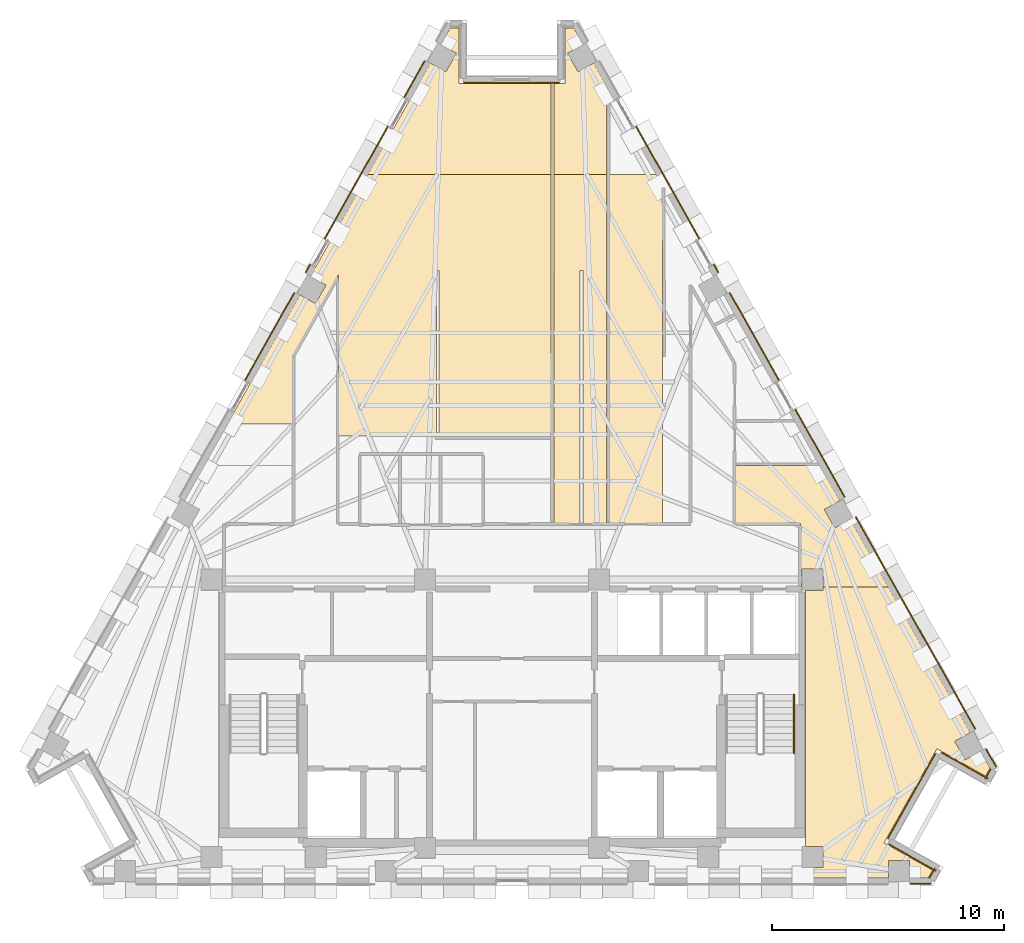
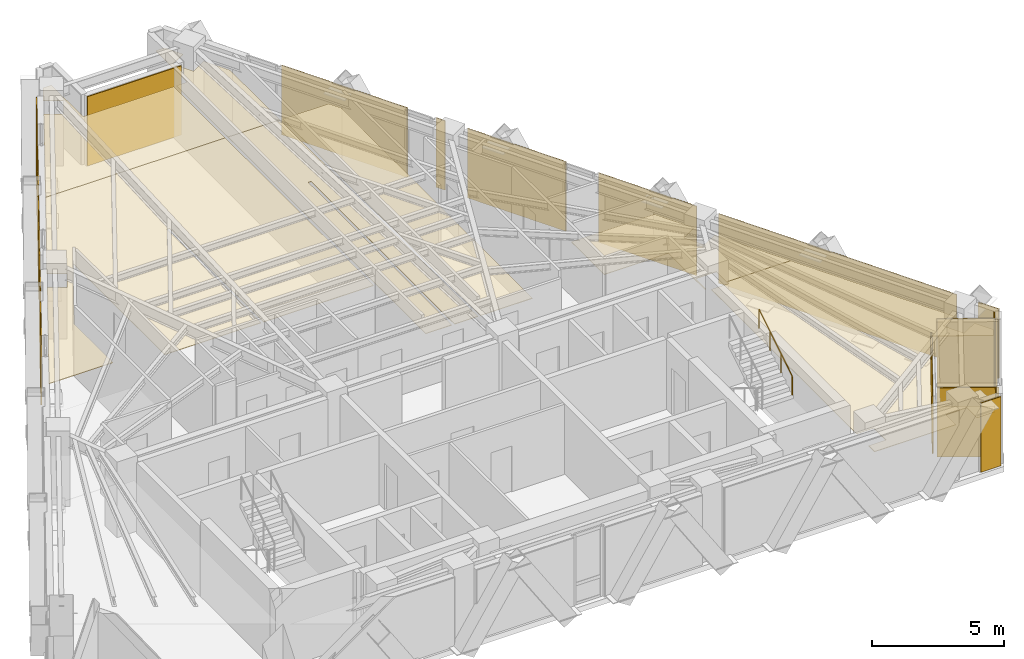
# One storey, part 12 of 13: 24 coverings, 1 railing.
"""IFC4 building model written with IfcOpenShell, lengths in metres."""

import ifcopenshell
import ifcopenshell.guid

model = None  # the IFC model being written
_history = None  # IfcOwnerHistory: only IFC2X3 demands one
_inside = {}  # id of a spatial element -> (the spatial element, [elements in it])
_under = {}  # id of a project, library or spatial element -> (it, [spatial elements below it])
_declared = {}  # id of a project -> (the project, [libraries it declares])
_typed = {}  # id of a type object -> (the type object, [elements of that type])
_made_of = {}  # id of a material, layer set ... -> (it, [elements and type objects made of it])


def new_model(schema):
    """Start an empty IFC model of exactly this schema.

    Asked for "IFC4X3", IfcOpenShell would pick the latest addendum, in which some entities
    have other attributes; the version numbers below select the first issue.
    IFC2X3 requires an IfcOwnerHistory on every rooted entity: one is made here for all.
    """
    global model, _history
    if schema == "IFC4X3":
        model = ifcopenshell.file(schema_version=(4, 3, 0, 0))
    else:
        model = ifcopenshell.file(schema=schema)
    _inside.clear()
    _under.clear()
    _declared.clear()
    _typed.clear()
    _made_of.clear()
    _history = None
    if model.schema == "IFC2X3":
        org = make("IfcOrganization", Name="unknown")
        user = make(
            "IfcPersonAndOrganization",
            ThePerson=make("IfcPerson", FamilyName="unknown"),
            TheOrganization=org,
        )
        app = make(
            "IfcApplication",
            ApplicationDeveloper=org,
            Version="unknown",
            ApplicationFullName="unknown",
            ApplicationIdentifier="unknown",
        )
        _history = make(
            "IfcOwnerHistory",
            OwningUser=user,
            OwningApplication=app,
            ChangeAction="ADDED",
            CreationDate=0,
        )
    return model


def make(cls, **values):
    """One entity of the class cls with the attributes given. An attribute that is None is left unset."""
    return model.create_entity(
        cls, **{name: value for name, value in values.items() if value is not None}
    )


def rooted(cls, **values):
    """An entity with a GlobalId (a new one), such as an element, a storey or a relation."""
    return make(cls, GlobalId=ifcopenshell.guid.new(), OwnerHistory=_history, **values)


def si_unit(unit_type, name, prefix=None):
    """IfcSIUnit, for example si_unit("LENGTHUNIT", "METRE", prefix="MILLI")."""
    return make("IfcSIUnit", UnitType=unit_type, Prefix=prefix, Name=name)


def assignment(units):
    """IfcUnitAssignment: the units of a project."""
    return None if units is None else make("IfcUnitAssignment", Units=units)


def point(xyz):
    """IfcCartesianPoint."""
    return None if xyz is None else make("IfcCartesianPoint", Coordinates=xyz)


def direction(xyz):
    """IfcDirection."""
    return None if xyz is None else make("IfcDirection", DirectionRatios=xyz)


def frame(location, z_axis=None, x_axis=None):
    """IfcAxis2Placement3D, a coordinate frame: its origin and axes. An axis left out is left unset."""
    return make(
        "IfcAxis2Placement3D",
        Location=point(location),
        Axis=direction(z_axis),
        RefDirection=direction(x_axis),
    )


def frame_2d(location, x_axis=None):
    """IfcAxis2Placement2D, a coordinate frame in the plane: its origin and x axis."""
    return make(
        "IfcAxis2Placement2D", Location=point(location), RefDirection=direction(x_axis)
    )


def origin():
    """The frame at (0, 0, 0) with its axes left unset."""
    return frame((0.0, 0.0, 0.0))


def origin_2d():
    """The frame at (0, 0) in the plane with its x axis left unset."""
    return frame_2d((0.0, 0.0))


def place(relative_to, where):
    """IfcLocalPlacement: puts the frame where relative to a parent placement (None: the world)."""
    return make(
        "IfcLocalPlacement", PlacementRelTo=relative_to, RelativePlacement=where
    )


def context(
    kind, dimensions, precision=None, world=None, true_north=None, identifier=None
):
    """IfcGeometricRepresentationContext, for example the 3D "Model" context."""
    return make(
        "IfcGeometricRepresentationContext",
        ContextIdentifier=identifier,
        ContextType=kind,
        CoordinateSpaceDimension=dimensions,
        Precision=precision,
        WorldCoordinateSystem=world,
        TrueNorth=true_north,
    )


def subcontext(parent, identifier, kind, view, scale=None):
    """IfcGeometricRepresentationSubContext, for example "Body" below "Model"."""
    return make(
        "IfcGeometricRepresentationSubContext",
        ContextIdentifier=identifier,
        ContextType=kind,
        ParentContext=parent,
        TargetScale=scale,
        TargetView=view,
    )


def project(units=None, contexts=None):
    """IfcProject with its units and contexts."""
    return rooted(
        "IfcProject",
        Name="project",
        RepresentationContexts=contexts,
        UnitsInContext=assignment(units),
    )


def spatial(cls, under=None, at=None, **own):
    """A site, building, storey or space (cls), placed at a placement, below another one or the project."""
    s = rooted(cls, ObjectPlacement=at, **own)
    if under is not None:
        _under.setdefault(under.id(), (under, []))[1].append(s)
    return s


def polyline(points):
    """IfcPolyline through the points."""
    return make("IfcPolyline", Points=[point(p) for p in points])


def profile(cls, at=None, kind="AREA", **sizes):
    """A parametric profile (cls). Its sizes go by their IFC names, for example OverallWidth=200.0."""
    return make(cls, ProfileType=kind, Position=at, **sizes)


def circle(**sizes):
    """IfcCircleProfileDef."""
    return profile("IfcCircleProfileDef", **sizes)


def outline(outer, holes=None, kind="AREA"):
    """IfcArbitraryClosedProfileDef: a profile drawn as a closed curve; with holes, ...WithVoids."""
    if holes is None:
        return make("IfcArbitraryClosedProfileDef", ProfileType=kind, OuterCurve=outer)
    return make(
        "IfcArbitraryProfileDefWithVoids",
        ProfileType=kind,
        OuterCurve=outer,
        InnerCurves=holes,
    )


def extrude(swept, where, along, depth):
    """IfcExtrudedAreaSolid: the profile swept, set in the frame where, extruded along a direction by depth."""
    return make(
        "IfcExtrudedAreaSolid",
        SweptArea=swept,
        Position=where,
        ExtrudedDirection=direction(along),
        Depth=depth,
    )


def shape(context_of_items, identifier, shape_type, items):
    """IfcShapeRepresentation: the items that make up one representation, for example the "Body"."""
    return make(
        "IfcShapeRepresentation",
        ContextOfItems=context_of_items,
        RepresentationIdentifier=identifier,
        RepresentationType=shape_type,
        Items=items,
    )


def material(Name=None, Category=None):
    """IfcMaterial."""
    return make("IfcMaterial", Name=Name, Category=Category)


def layer(
    of_material, thickness, ventilated=None, Name=None, Category=None, Priority=None
):
    """IfcMaterialLayer: one layer of a wall or slab, of a material (None: an air gap)."""
    return make(
        "IfcMaterialLayer",
        Material=of_material,
        LayerThickness=thickness,
        IsVentilated=ventilated,
        Name=Name,
        Category=Category,
        Priority=Priority,
    )


def layer_set(layers, Name=None):
    """IfcMaterialLayerSet."""
    return make("IfcMaterialLayerSet", MaterialLayers=layers, LayerSetName=Name)


def made_of(thing, what):
    """Note that an element or type object is made of a material, layer set ...; save() writes the relation."""
    if what is not None:
        _made_of.setdefault(what.id(), (what, []))[1].append(thing)
    return thing


def type_object(cls, material=None, **own):
    """A type object (cls), such as IfcWallType, which elements share."""
    return made_of(rooted(cls, **own), material)


def element(
    cls,
    number,
    at=None,
    inside=None,
    cuts=None,
    type_object=None,
    material=None,
    context=None,
    identifier="Body",
    shape_type=None,
    held_by="IfcProductDefinitionShape",
    body=None,
    shapes=None,
    **own,
):
    """One element of the class cls, such as IfcWall. Its Tag is "e" and its number.

    at: its placement. inside: the storey or other place that contains it. cuts: it is an
    opening in that element (IfcRelVoidsElement). A single representation is given by context,
    identifier, shape_type and body (its items); several are given by shapes. held_by: the class
    of the entity that holds the representations. save() writes the other relations.
    """
    e = rooted(cls, Tag="e%d" % number, ObjectPlacement=at, **own)
    if body is not None:
        shapes = [shape(context, identifier, shape_type, body)]
    if shapes is not None:
        e.Representation = make(held_by, Representations=shapes)
    if inside is not None:
        _inside.setdefault(inside.id(), (inside, []))[1].append(e)
    if cuts is not None:
        rooted(
            "IfcRelVoidsElement", RelatingBuildingElement=cuts, RelatedOpeningElement=e
        )
    if type_object is not None:
        _typed.setdefault(type_object.id(), (type_object, []))[1].append(e)
    return made_of(e, material)


def aggregate(whole, parts):
    """IfcRelAggregates: a whole, such as a stair, and the parts it consists of."""
    return rooted("IfcRelAggregates", RelatingObject=whole, RelatedObjects=parts)


def save(model, path):
    """Write the relations noted so far, then the file.

    IfcRelAggregates (storeys below a building ...), IfcRelContainedInSpatialStructure (elements
    in a storey), IfcRelDefinesByType, IfcRelAssociatesMaterial and IfcRelDeclares: one each for
    every whole, place, type object, material and project.
    """
    for whole, parts in _under.values():
        aggregate(whole, parts)
    for where, things in _inside.values():
        rooted(
            "IfcRelContainedInSpatialStructure",
            RelatedElements=things,
            RelatingStructure=where,
        )
    for kind, things in _typed.values():
        rooted("IfcRelDefinesByType", RelatedObjects=things, RelatingType=kind)
    for what, things in _made_of.values():
        rooted("IfcRelAssociatesMaterial", RelatedObjects=things, RelatingMaterial=what)
    for by, libraries in _declared.values():
        rooted("IfcRelDeclares", RelatingContext=by, RelatedDefinitions=libraries)
    model.write(path)


model = new_model("IFC4")

# Units and contexts
model_context = context("Model", 3, precision=1e-05, world=origin(), true_north=direction((0.0, 1.0)))
body_context = subcontext(model_context, "Body", "Model", "MODEL_VIEW")
ifc_project = project(units=[si_unit("LENGTHUNIT", "METRE"), si_unit("AREAUNIT", "SQUARE_METRE"), si_unit("VOLUMEUNIT", "CUBIC_METRE"), si_unit("PLANEANGLEUNIT", "RADIAN"), si_unit("MASSUNIT", "GRAM", prefix="KILO")], contexts=[model_context])

# Site, building, storey
site_placement = place(None, origin())
site = spatial("IfcSite", under=ifc_project, at=site_placement, CompositionType="ELEMENT")
building_placement = place(site_placement, origin())
building = spatial("IfcBuilding", under=site, at=building_placement, Name="Quenlor Broadcast Tower", CompositionType="ELEMENT")
storey_placement = place(building_placement, frame((0.0, 0.0, 207.89990234375)))
storey = spatial("IfcBuildingStorey", under=building, at=storey_placement, Name="L57", CompositionType="ELEMENT", Elevation=207.89990234375)

# Coverings
ifc_material_1 = material(Name="Acoustic Mineral Fibre Board", Category="other")
ifc_layer_1 = layer(ifc_material_1, 0.02490234375)
ifc_layer_set_1 = layer_set([ifc_layer_1], Name="Acoustic Perforated Mineral Tile Ceiling 25")
covering_type_1 = type_object("IfcCoveringType", Name="Acoustic Perforated Mineral Tile Ceiling 25", PredefinedType="CEILING", material=ifc_layer_set_1)
covering_1_placement = place(storey_placement, frame((0.0, 0.0, 2.375)))
element("IfcCovering", 1, at=covering_1_placement, inside=storey, type_object=covering_type_1, Name="L57 Acoustic Ceiling L57-24", PredefinedType="CEILING", context=body_context, shape_type="SweptSolid", body=[
    extrude(outline(polyline([(1.679931640625, 1.380126953125), (-3.139892578125, 1.380126953125), (-3.139892578125, 8.522705078125), (-3.260009765625, 8.522705078125), (-3.260009765625, 1.380126953125), (-7.47998046875, 1.380126953125), (-7.47998046875, 8.328125), (-9.43994140625, 4.84375), (-9.43994140625, 1.909912109375), (-12.260498046875, 1.909912109375), (-9.13427734375, 7.4677734375), (-8.465087890625, 7.09130859375), (-8.015869140625, 7.889404296875), (-8.685302734375, 8.26611328125), (-6.21923828125, 12.64990234375), (1.679931640625, 12.64990234375), (1.679931640625, 1.380126953125)])), origin(), (0.0, 0.0, 1.0), 0.025146484375),
])
covering_2_placement = place(storey_placement, frame((0.0, 0.0, 2.375)))
element("IfcCovering", 2, at=covering_2_placement, inside=storey, type_object=covering_type_1, Name="L57 Acoustic Ceiling L57-24-2", PredefinedType="CEILING", context=body_context, shape_type="SweptSolid", body=[
    extrude(outline(polyline([(-2.396728515625, 17.87890625), (-3.066162109375, 18.255615234375), (-2.6630859375, 18.971923828125), (-2.2861328125, 18.971923828125), (-2.2861328125, 16.572021484375), (1.679931640625, 16.572021484375), (1.679931640625, 12.64990234375), (-6.21923828125, 12.64990234375), (-3.515380859375, 17.45703125), (-2.845947265625, 17.08056640625), (-2.396728515625, 17.87890625)])), origin(), (0.0, 0.0, 1.0), 0.025146484375),
])
covering_3_placement = place(storey_placement, frame((0.0, 0.0, 2.375)))
element("IfcCovering", 3, at=covering_3_placement, inside=storey, type_object=covering_type_1, Name="L57 Acoustic Ceiling L57-26", PredefinedType="CEILING", context=body_context, shape_type="SweptSolid", body=[
    extrude(outline(polyline([(4.080078125, -2.3701171875), (3.06005859375, -2.3701171875), (3.06005859375, 8.522705078125), (2.93994140625, 8.522705078125), (2.93994140625, -2.3701171875), (1.800048828125, -2.3701171875), (1.800048828125, 12.64990234375), (4.080078125, 12.64990234375), (4.080078125, -2.3701171875)])), origin(), (0.0, 0.0, 1.0), 0.025146484375),
])
covering_4_placement = place(storey_placement, frame((0.0, 0.0, 2.375)))
element("IfcCovering", 4, at=covering_4_placement, inside=storey, type_object=covering_type_1, Name="L57 Acoustic Ceiling L57-26-2", PredefinedType="CEILING", context=body_context, shape_type="SweptSolid", body=[
    extrude(outline(polyline([(2.396728515625, 17.87890625), (2.845947265625, 17.08056640625), (3.515380859375, 17.45703125), (4.080078125, 16.453125), (4.080078125, 12.64990234375), (1.800048828125, 12.64990234375), (1.800048828125, 16.572021484375), (2.2861328125, 16.572021484375), (2.2861328125, 18.971923828125), (2.6630859375, 18.971923828125), (3.066162109375, 18.255615234375), (2.396728515625, 17.87890625)])), origin(), (0.0, 0.0, 1.0), 0.025146484375),
])
covering_5_placement = place(storey_placement, frame((0.0, 0.0, 2.375)))
element("IfcCovering", 5, at=covering_5_placement, inside=storey, type_object=covering_type_1, Name="L57 Acoustic Ceiling L57-27", PredefinedType="CEILING", context=body_context, shape_type="SweptSolid", body=[
    extrude(outline(polyline([(4.199951171875, 12.64990234375), (6.21923828125, 12.64990234375), (6.47998046875, 12.1865234375), (6.47998046875, -2.3701171875), (4.199951171875, -2.3701171875), (4.199951171875, 12.64990234375)])), origin(), (0.0, 0.0, 1.0), 0.025146484375),
])
covering_6_placement = place(storey_placement, frame((0.0, 0.0, 2.375)))
element("IfcCovering", 6, at=covering_6_placement, inside=storey, type_object=covering_type_1, Name="L57 Acoustic Ceiling L57-31-2", PredefinedType="CEILING", context=body_context, shape_type="SweptSolid", body=[
    extrude(outline(polyline([(13.407958984375, -4.342041015625), (12.491943359375, -4.342041015625), (12.491943359375, -5.1201171875), (12.43994140625, -5.1201171875), (12.43994140625, -2.3701171875), (9.6201171875, -2.3701171875), (9.6201171875, 0.128662109375), (13.262451171875, 0.128662109375), (14.123046875, -1.401123046875), (13.45361328125, -1.777587890625), (13.90283203125, -2.575927734375), (14.572021484375, -2.199462890625), (16.21484375, -5.1201171875), (13.407958984375, -5.1201171875), (13.407958984375, -4.342041015625)])), origin(), (0.0, 0.0, 1.0), 0.025146484375),
])
covering_7_placement = place(storey_placement, frame((0.0, 0.0, 2.375)))
element("IfcCovering", 7, at=covering_7_placement, inside=storey, type_object=covering_type_1, Name="L57 Acoustic Ceiling L57-31-4", PredefinedType="CEILING", context=body_context, shape_type="SweptSolid", body=[
    extrude(outline(polyline([(13.407958984375, -17.2080078125), (13.407958984375, -16.2919921875), (12.64990234375, -16.2919921875), (12.64990234375, -5.258056640625), (13.407958984375, -5.258056640625), (13.407958984375, -5.1201171875), (16.21484375, -5.1201171875), (19.7421875, -11.390625), (19.07275390625, -11.76708984375), (19.52197265625, -12.5654296875), (20.191162109375, -12.18896484375), (20.597900390625, -12.912109375), (20.400390625, -13.26318359375), (18.30859375, -12.08642578125), (16.029052734375, -16.138916015625), (18.120849609375, -17.315673828125), (17.927001953125, -17.659912109375), (17.1337890625, -17.659912109375), (17.1337890625, -16.89208984375), (16.218017578125, -16.89208984375), (16.218017578125, -17.659912109375), (12.64990234375, -17.659912109375), (12.64990234375, -17.2080078125), (13.407958984375, -17.2080078125)])), origin(), (0.0, 0.0, 1.0), 0.025146484375),
])
ifc_material_2 = material(Name="Architectural Terracotta Ceramic", Category="masonry")
ifc_layer_2 = layer(ifc_material_2, 0.044921875)
ifc_layer_set_2 = layer_set([ifc_layer_2], Name="Fluted Terracotta Rainscreen Cladding Panel")
covering_type_2 = type_object("IfcCoveringType", Name="Fluted Terracotta Rainscreen Cladding Panel", PredefinedType="CLADDING", material=ifc_layer_set_2)
covering_8_placement = place(storey_placement, frame((0.0, 0.0, 0.02001953125)))
element("IfcCovering", 8, at=covering_8_placement, inside=storey, type_object=covering_type_2, Name="L57 Terracotta Rainscreen Cladding L57-SHD-SS0", PredefinedType="CLADDING", context=body_context, shape_type="SweptSolid", body=[
    extrude(outline(polyline([(18.035888671875, -17.886962890625), (17.160888671875, -17.886962890625), (17.160888671875, -17.931884765625), (18.035888671875, -17.931884765625), (18.035888671875, -17.886962890625)])), origin(), (0.0, 0.0, 1.0), 3.2099609375),
])
covering_9_placement = place(storey_placement, frame((0.0, 0.0, 0.02001953125)))
element("IfcCovering", 9, at=covering_9_placement, inside=storey, type_object=covering_type_2, Name="L57 Terracotta Rainscreen Cladding L57-SHD-NES1", PredefinedType="CLADDING", context=body_context, shape_type="SweptSolid", body=[
    extrude(outline(polyline([(20.402099609375, -12.10107421875), (20.845458984375, -12.888916015625), (20.884521484375, -12.866943359375), (20.44140625, -12.0791015625), (20.402099609375, -12.10107421875)])), origin(), (0.0, 0.0, 1.0), 3.2099609375),
])
covering_10_placement = place(storey_placement, frame((0.0, 0.0, 0.02001953125)))
element("IfcCovering", 10, at=covering_10_placement, inside=storey, type_object=covering_type_2, Name="L57 Terracotta Rainscreen Cladding L57-NEA-SP2", PredefinedType="CLADDING", context=body_context, shape_type="SweptSolid", body=[
    extrude(outline(polyline([(5.3291015625, 14.716064453125), (8.05419921875, 9.871337890625), (8.09326171875, 9.893310546875), (5.368408203125, 14.738037109375), (5.3291015625, 14.716064453125)])), origin(), (0.0, 0.0, 1.0), 3.2099609375),
])
covering_11_placement = place(storey_placement, frame((0.0, 0.0, 0.02001953125)))
element("IfcCovering", 11, at=covering_11_placement, inside=storey, type_object=covering_type_2, Name="L57 Terracotta Rainscreen Cladding L57-NEA-SP3", PredefinedType="CLADDING", context=body_context, shape_type="SweptSolid", body=[
    extrude(outline(polyline([(8.672607421875, 8.77197265625), (8.86865234375, 8.42333984375), (8.907958984375, 8.4453125), (8.7119140625, 8.7939453125), (8.672607421875, 8.77197265625)])), origin(), (0.0, 0.0, 1.0), 3.2099609375),
])
covering_12_placement = place(storey_placement, frame((0.0, 0.0, 0.02001953125)))
element("IfcCovering", 12, at=covering_12_placement, inside=storey, type_object=covering_type_2, Name="L57 Terracotta Rainscreen Cladding L57-EW-NEC", PredefinedType="CLADDING", context=body_context, shape_type="SweptSolid", body=[
    extrude(outline(polyline([(14.7919921875, -2.106689453125), (19.935302734375, -11.250732421875), (19.974609375, -11.228759765625), (14.831298828125, -2.084716796875), (14.7919921875, -2.106689453125)])), origin(), (0.0, 0.0, 1.0), 3.2099609375),
])
covering_13_placement = place(storey_placement, frame((0.0, 0.0, 0.02001953125)))
element("IfcCovering", 13, at=covering_13_placement, inside=storey, type_object=covering_type_2, Name="L57 Terracotta Rainscreen Cladding L57-NE-SP1", PredefinedType="CLADDING", context=body_context, shape_type="SweptSolid", body=[
    extrude(outline(polyline([(9.361328125, 7.54736328125), (11.483154296875, 3.775390625), (11.5224609375, 3.79736328125), (9.400634765625, 7.5693359375), (9.361328125, 7.54736328125)])), origin(), (0.0, 0.0, 1.0), 3.2099609375),
])
covering_14_placement = place(storey_placement, frame((0.0, 0.0, 0.02001953125)))
element("IfcCovering", 14, at=covering_14_placement, inside=storey, type_object=covering_type_2, Name="L57 Terracotta Rainscreen Cladding L57-NE-SP2", PredefinedType="CLADDING", context=body_context, shape_type="SweptSolid", body=[
    extrude(outline(polyline([(12.187255859375, 2.523681640625), (14.30908203125, -1.248291015625), (14.34814453125, -1.226318359375), (12.2265625, 2.5458984375), (12.187255859375, 2.523681640625)])), origin(), (0.0, 0.0, 1.0), 3.2099609375),
])
covering_15_placement = place(storey_placement, frame((0.0, 0.0, 0.02001953125)))
element("IfcCovering", 15, at=covering_15_placement, inside=storey, type_object=covering_type_2, Name="L57 Terracotta Rainscreen Cladding L57-NWC-SP1", PredefinedType="CLADDING", context=body_context, shape_type="SweptSolid", body=[
    extrude(outline(polyline([(-8.86865234375, 8.42333984375), (-8.672607421875, 8.77197265625), (-8.7119140625, 8.7939453125), (-8.907958984375, 8.4453125), (-8.86865234375, 8.42333984375)])), origin(), (0.0, 0.0, 1.0), 3.2099609375),
])
covering_16_placement = place(storey_placement, frame((0.0, 0.0, 0.02001953125)))
element("IfcCovering", 16, at=covering_16_placement, inside=storey, type_object=covering_type_2, Name="L57 Terracotta Rainscreen Cladding L57-NWC-SP2", PredefinedType="CLADDING", context=body_context, shape_type="SweptSolid", body=[
    extrude(outline(polyline([(-8.05419921875, 9.871337890625), (-5.3291015625, 14.716064453125), (-5.368408203125, 14.738037109375), (-8.09326171875, 9.893310546875), (-8.05419921875, 9.871337890625)])), origin(), (0.0, 0.0, 1.0), 3.2099609375),
])
covering_17_placement = place(storey_placement, frame((0.0, 0.0, 0.02001953125)))
element("IfcCovering", 17, at=covering_17_placement, inside=storey, type_object=covering_type_2, Name="L57 Terracotta Rainscreen Cladding L57-NWC-SP3", PredefinedType="CLADDING", context=body_context, shape_type="SweptSolid", body=[
    extrude(outline(polyline([(-4.625, 15.967529296875), (-3.744873046875, 17.532470703125), (-3.7841796875, 17.554443359375), (-4.664306640625, 15.989501953125), (-4.625, 15.967529296875)])), origin(), (0.0, 0.0, 1.0), 3.2099609375),
])
covering_18_placement = place(storey_placement, frame((0.0, 0.0, 0.02001953125)))
element("IfcCovering", 18, at=covering_18_placement, inside=storey, type_object=covering_type_2, Name="L57 Terracotta Rainscreen Cladding L57-NW-SP2", PredefinedType="CLADDING", context=body_context, shape_type="SweptSolid", body=[
    extrude(outline(polyline([(-11.483154296875, 3.775390625), (-9.361328125, 7.54736328125), (-9.400634765625, 7.5693359375), (-11.5224609375, 3.79736328125), (-11.483154296875, 3.775390625)])), origin(), (0.0, 0.0, 1.0), 3.2099609375),
])
covering_19_placement = place(storey_placement, frame((0.0, 0.0, 0.02001953125)))
element("IfcCovering", 19, at=covering_19_placement, inside=storey, type_object=covering_type_2, Name="L57 Terracotta Rainscreen Cladding L57-CNR-01", PredefinedType="CLADDING", context=body_context, shape_type="SweptSolid", body=[
    extrude(outline(polyline([(18.284912109375, -17.329833984375), (16.245361328125, -16.1826171875), (16.223388671875, -16.2216796875), (18.262939453125, -17.368896484375), (18.284912109375, -17.329833984375)])), origin(), (0.0, 0.0, 1.0), 3.2099609375),
])
covering_20_placement = place(storey_placement, frame((0.0, 0.0, 0.02001953125)))
element("IfcCovering", 20, at=covering_20_placement, inside=storey, type_object=covering_type_2, Name="L57 Terracotta Rainscreen Cladding L57-CNR-02", PredefinedType="CLADDING", context=body_context, shape_type="SweptSolid", body=[
    extrude(outline(polyline([(16.2109375, -15.954345703125), (18.264892578125, -12.302734375), (18.225830078125, -12.28076171875), (16.171630859375, -15.932373046875), (16.2109375, -15.954345703125)])), origin(), (0.0, 0.0, 1.0), 2.681884765625),
])
covering_21_placement = place(storey_placement, frame((0.0, 0.0, 0.02001953125)))
element("IfcCovering", 21, at=covering_21_placement, inside=storey, type_object=covering_type_2, Name="L57 Terracotta Rainscreen Cladding L57-CNR-03", PredefinedType="CLADDING", context=body_context, shape_type="SweptSolid", body=[
    extrude(outline(polyline([(18.493408203125, -12.268310546875), (20.497802734375, -13.39599609375), (20.52001953125, -13.356689453125), (18.515380859375, -12.22900390625), (18.493408203125, -12.268310546875)])), origin(), (0.0, 0.0, 1.0), 3.2099609375),
])
covering_22_placement = place(storey_placement, frame((0.0, 0.0, 0.02001953125)))
element("IfcCovering", 22, at=covering_22_placement, inside=storey, type_object=covering_type_2, Name="L57 Terracotta Rainscreen Cladding L57-CNR-04", PredefinedType="CLADDING", context=body_context, shape_type="SweptSolid", body=[
    extrude(outline(polyline([(20.40576171875, -13.39208984375), (20.64306640625, -12.970458984375), (20.60400390625, -12.948486328125), (20.36669921875, -13.3701171875), (20.40576171875, -13.39208984375)])), origin(), (0.0, 0.0, 1.0), 3.2099609375),
])
covering_23_placement = place(storey_placement, frame((0.0, 0.0, 0.02001953125)))
element("IfcCovering", 23, at=covering_23_placement, inside=storey, type_object=covering_type_2, Name="L57 Terracotta Rainscreen Cladding L57-CNR-08", PredefinedType="CLADDING", context=body_context, shape_type="SweptSolid", body=[
    extrude(outline(polyline([(2.0361328125, 16.639892578125), (-2.076171875, 16.639892578125), (-2.076171875, 16.594970703125), (2.0361328125, 16.594970703125), (2.0361328125, 16.639892578125)])), origin(), (0.0, 0.0, 1.0), 3.2099609375),
])
covering_24_placement = place(storey_placement, frame((0.0, 0.0, 0.02001953125)))
element("IfcCovering", 24, at=covering_24_placement, inside=storey, type_object=covering_type_2, Name="L57 Terracotta Rainscreen Cladding L57-CNR-18", PredefinedType="CLADDING", context=body_context, shape_type="SweptSolid", body=[
    extrude(outline(polyline([(17.99853515625, -17.671630859375), (18.234130859375, -17.2529296875), (18.19482421875, -17.23095703125), (17.959228515625, -17.649658203125), (17.99853515625, -17.671630859375)])), origin(), (0.0, 0.0, 1.0), 3.2099609375),
])

# Railing
ifc_material_3 = material(Name="Anodised Aluminium", Category="aluminium")
railing_type = type_object("IfcRailingType", Name="Stainless Aluminium Wall Handrail 900", PredefinedType="HANDRAIL", material=ifc_material_3)
railing_placement = place(storey_placement, frame((12.14990234375, -12.27001953125, 1.925048828125)))
element("IfcRailing", 25, at=railing_placement, inside=storey, type_object=railing_type, Name="L57 ST-2 stair handrail 2", PredefinedType="HANDRAIL", context=body_context, shape_type="SweptSolid", body=[
    extrude(circle(Radius=0.02392578125, at=origin_2d()), frame((0.0, 0.0, 0.8759765625), z_axis=(0.0, 0.848007534815, 0.529984170421), x_axis=(-1.0, 0.0, 0.0)), (0.0, 0.0, 1.0), 2.9716796875),
    extrude(circle(Radius=0.02099609375, at=origin_2d()), origin(), (0.0, 0.0, 1.0), 0.851806640625),
    extrude(circle(Radius=0.02099609375, at=origin_2d()), frame((0.0, 0.840087890625, 0.52490234375)), (0.0, 0.0, 1.0), 0.851806640625),
    extrude(circle(Radius=0.02099609375, at=origin_2d()), frame((0.0, 1.679931640625, 1.050048828125)), (0.0, 0.0, 1.0), 0.851806640625),
    extrude(circle(Radius=0.02099609375, at=origin_2d()), frame((0.0, 2.52001953125, 1.574951171875)), (0.0, 0.0, 1.0), 0.851806640625),
])

save(model, "model.ifc")
